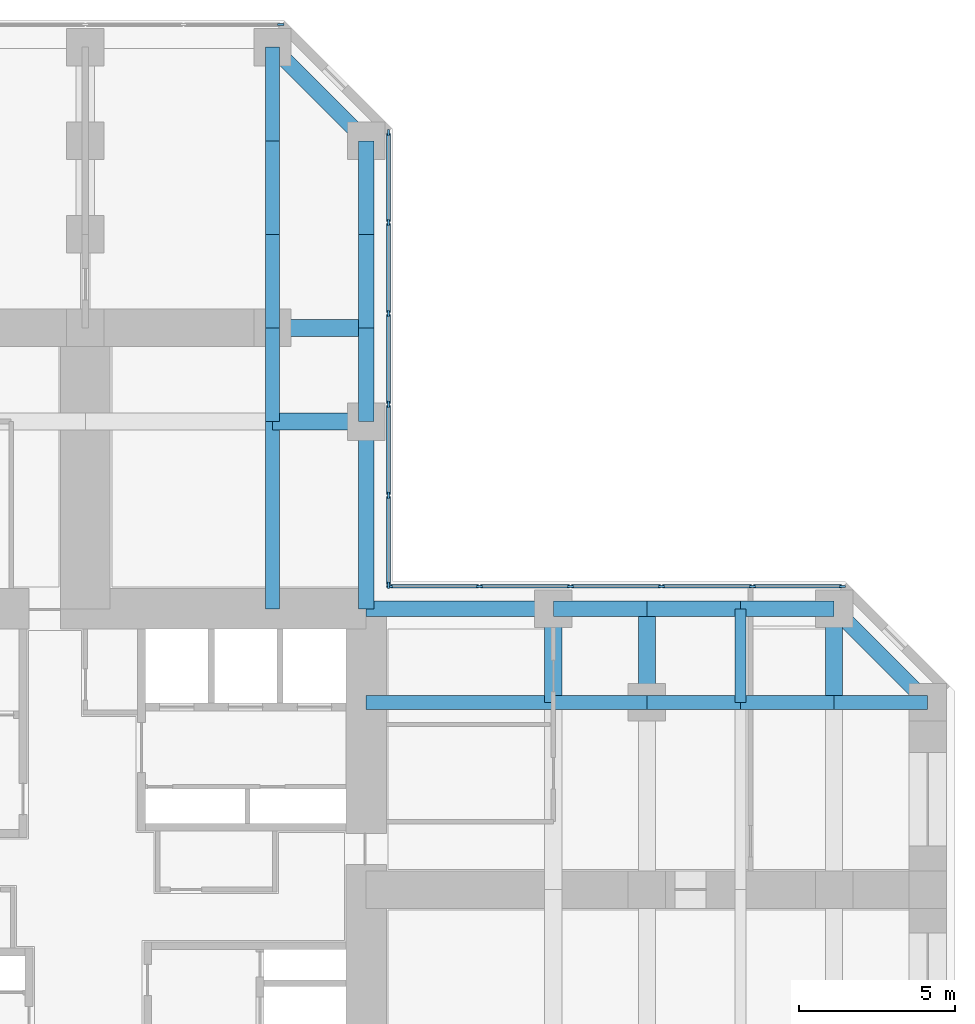
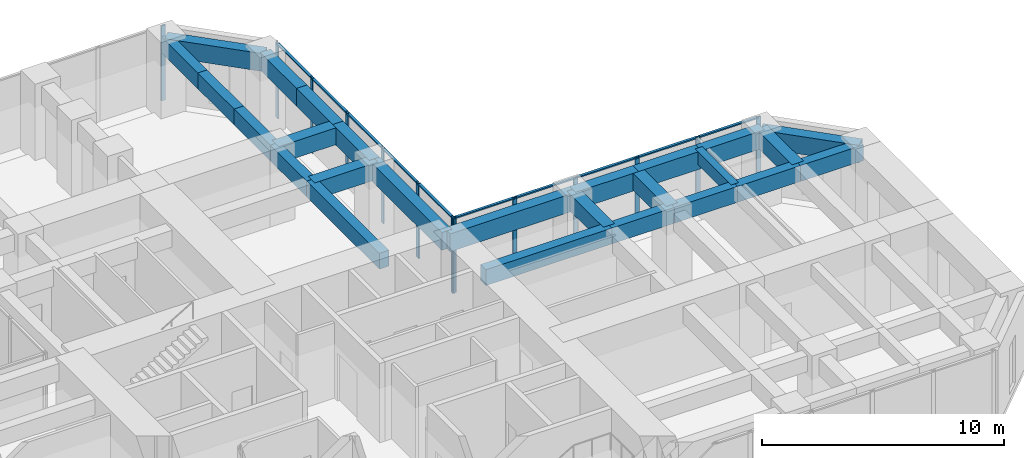
# One storey, part 6 of 12: 26 beams, 23 members, 3 elements without a shape of their own.
"""IFC4 building model written with IfcOpenShell, lengths in metres."""

from ifc_helpers import new_model, si_unit, direction, frame, origin, origin_2d, place, context, subcontext, project, spatial, rectangle, extrude, material, material_profile, profile_set, type_object, element, aggregate, save


model = new_model("IFC4")

# Units and contexts
model_context = context("Model", 3, precision=1e-05, world=origin(), true_north=direction((0.0, 1.0)))
body_context = subcontext(model_context, "Body", "Model", "MODEL_VIEW")
ifc_project = project(units=[si_unit("LENGTHUNIT", "METRE"), si_unit("AREAUNIT", "SQUARE_METRE"), si_unit("VOLUMEUNIT", "CUBIC_METRE"), si_unit("PLANEANGLEUNIT", "RADIAN"), si_unit("MASSUNIT", "GRAM", prefix="KILO")], contexts=[model_context])

# Site, building, storey
site_placement = place(None, origin())
site = spatial("IfcSite", under=ifc_project, at=site_placement, CompositionType="ELEMENT")
building_placement = place(site_placement, origin())
building = spatial("IfcBuilding", under=site, at=building_placement, Name="Torre Cruceta", CompositionType="ELEMENT")
storey_placement = place(building_placement, frame((0.0, 0.0, 59.5)))
storey = spatial("IfcBuildingStorey", under=building, at=storey_placement, Name="L14", CompositionType="ELEMENT", Elevation=59.5)

# Beams
ifc_material_1 = material(Name="Concrete G60 (fck 60 MPa)", Category="concrete")
ifc_material_profile_1 = material_profile(ifc_material_1, rectangle(XDim=0.449951171875, YDim=0.800048828125, at=origin_2d()), Name="RC 450X800")
ifc_profile_set_1 = profile_set([ifc_material_profile_1], Name="Concrete G60 (fck 60 MPa)")
beam_type_1 = type_object("IfcBeamType", Name="COLUMN LINE BEAM RC 450X800", PredefinedType="BEAM", material=ifc_profile_set_1)
beam_1_placement = place(storey_placement, frame((6.0, 9.0, 3.39990234375), z_axis=(0.0, 1.0, 0.0), x_axis=(-1.0, 0.0, 0.0)))
element("IfcBeam", 1, at=beam_1_placement, inside=storey, type_object=beam_type_1, Name="LB1 L14 N col- 1", PredefinedType="BEAM", context=body_context, shape_type="SweptSolid", body=[
    extrude(rectangle(XDim=0.449951171875, YDim=0.800048828125, at=origin_2d()), origin(), (0.0, 0.0, 1.0), 6.0),
])
for number, where, z_axis, x_axis, name in (
    (2, (6.0, 15.0, 3.39990234375), (0.0, 1.0, 0.0), (-1.0, 0.0, 0.0), "LB1 L14 N col- 2"),
    (3, (6.0, 18.0, 3.39990234375), (0.0, 1.0, 0.0), (-1.0, 0.0, 0.0), "LB1 L14 N col- 3"),
    (4, (6.0, 21.0, 3.39990234375), (0.0, 1.0, 0.0), (-1.0, 0.0, 0.0), "LB1 L14 N col- 4"),
    (5, (6.0, 24.0, 3.39990234375), (0.0, 1.0, 0.0), (-1.0, 0.0, 0.0), "LB1 L14 N col- 5"),
):
    element("IfcBeam", number, at=place(storey_placement, frame(where, z_axis=z_axis, x_axis=x_axis)), inside=storey, type_object=beam_type_1, Name=name, PredefinedType="BEAM", context=body_context, shape_type="SweptSolid", body=[
        extrude(rectangle(XDim=0.449951171875, YDim=0.800048828125, at=origin_2d()), origin(), (0.0, 0.0, 1.0), 3.0),
    ])
beam_2_placement = place(storey_placement, frame((9.0, 6.0, 3.39990234375), z_axis=(1.0, 0.0, 0.0), x_axis=(0.0, 1.0, 0.0)))
element("IfcBeam", 6, at=beam_2_placement, inside=storey, type_object=beam_type_1, Name="LB1 L14 E col+ 1", PredefinedType="BEAM", context=body_context, shape_type="SweptSolid", body=[
    extrude(rectangle(XDim=0.449951171875, YDim=0.800048828125, at=origin_2d()), origin(), (0.0, 0.0, 1.0), 6.0),
])
for number, where, z_axis, x_axis, name in (
    (7, (15.0, 6.0, 3.39990234375), (1.0, 0.0, 0.0), (0.0, 1.0, 0.0), "LB1 L14 E col+ 2"),
    (8, (18.0, 6.0, 3.39990234375), (1.0, 0.0, 0.0), (0.0, 1.0, 0.0), "LB1 L14 E col+ 3"),
    (9, (21.0, 6.0, 3.39990234375), (1.0, 0.0, 0.0), (0.0, 1.0, 0.0), "LB1 L14 E col+ 4"),
    (10, (24.0, 6.0, 3.39990234375), (1.0, 0.0, 0.0), (0.0, 1.0, 0.0), "LB1 L14 E col+ 5"),
):
    element("IfcBeam", number, at=place(storey_placement, frame(where, z_axis=z_axis, x_axis=x_axis)), inside=storey, type_object=beam_type_1, Name=name, PredefinedType="BEAM", context=body_context, shape_type="SweptSolid", body=[
        extrude(rectangle(XDim=0.449951171875, YDim=0.800048828125, at=origin_2d()), origin(), (0.0, 0.0, 1.0), 3.0),
    ])
ifc_material_2 = material(Name="Concrete G60 (fck 60 MPa)", Category="concrete")
ifc_material_profile_2 = material_profile(ifc_material_2, rectangle(XDim=0.550048828125, YDim=0.85009765625, at=origin_2d()), Name="RC 550X850")
ifc_profile_set_2 = profile_set([ifc_material_profile_2], Name="Concrete G60 (fck 60 MPa)")
beam_type_2 = type_object("IfcBeamType", Name="CROSS BEAM RC 550X850", PredefinedType="BEAM", material=ifc_profile_set_2)
for number, where, z_axis, x_axis, name in (
    (11, (9.0, 15.0, 3.375), (-1.0, 0.0, 0.0), (0.0, -1.0, 0.0), "GB4 L14 N cross15 1"),
    (12, (9.0, 18.0, 3.375), (-1.0, 0.0, 0.0), (0.0, -1.0, 0.0), "GB4 L14 N cross18 1"),
    (13, (15.0, 6.0, 3.375), (0.0, 1.0, 0.0), (-1.0, 0.0, 0.0), "GB4 L14 E cross15 4"),
    (14, (18.0, 6.0, 3.375), (0.0, 1.0, 0.0), (-1.0, 0.0, 0.0), "GB4 L14 E cross18 4"),
    (15, (24.0, 6.0, 3.375), (0.0, 1.0, 0.0), (-1.0, 0.0, 0.0), "GB4 L14 E cross24 4"),
):
    element("IfcBeam", number, at=place(storey_placement, frame(where, z_axis=z_axis, x_axis=x_axis)), inside=storey, type_object=beam_type_2, Name=name, PredefinedType="BEAM", context=body_context, shape_type="SweptSolid", body=[
        extrude(rectangle(XDim=0.550048828125, YDim=0.85009765625, at=origin_2d()), origin(), (0.0, 0.0, 1.0), 3.0),
    ])

# Curtain wall, members
ifc_material_3 = material(Name="Aluminium unitised curtain wall", Category="aluminium")
curtain_wall_type = type_object("IfcCurtainWallType", Name="CURTAIN WALL CW-A OFFICE LOW RISE", PredefinedType="USERDEFINED", material=ifc_material_3)
curtain_wall_1_placement = place(storey_placement, origin())
curtain_wall_1 = element("IfcCurtainWall", 16, at=curtain_wall_1_placement, inside=storey, type_object=curtain_wall_type, Name="CW-A L14 E side 04", ObjectType="UNITISED", PredefinedType="USERDEFINED")
ifc_material_4 = material(Name="Aluminium mullion", Category="aluminium")
ifc_material_profile_3 = material_profile(ifc_material_4, rectangle(XDim=0.06494140625, YDim=0.199951171875, at=origin_2d()), Name="AL 65X200")
ifc_profile_set_3 = profile_set([ifc_material_profile_3], Name="Aluminium mullion")
member_type_1 = type_object("IfcMemberType", Name="CW-A MULLION 65X200", PredefinedType="MULLION", material=ifc_profile_set_3)
member_1_placement = place(storey_placement, frame((24.265625, 9.719970703125, 0.0), z_axis=(0.0, 0.0, 1.0), x_axis=(0.0, -1.0, 0.0)))
member_1 = element("IfcMember", 17, at=member_1_placement, type_object=member_type_1, Name="CW-A mullion 1", PredefinedType="MULLION", context=body_context, shape_type="SweptSolid", body=[
    extrude(rectangle(XDim=0.06494140625, YDim=0.199951171875, at=origin_2d()), origin(), (0.0, 0.0, 1.0), 3.800048828125),
])
member_2_placement = place(storey_placement, frame((21.382568359375, 9.719970703125, 0.0), z_axis=(0.0, 0.0, 1.0), x_axis=(0.0, -1.0, 0.0)))
member_2 = element("IfcMember", 18, at=member_2_placement, type_object=member_type_1, Name="CW-A mullion 2", PredefinedType="MULLION", context=body_context, shape_type="SweptSolid", body=[
    extrude(rectangle(XDim=0.06494140625, YDim=0.199951171875, at=origin_2d()), origin(), (0.0, 0.0, 1.0), 3.800048828125),
])
member_3_placement = place(storey_placement, frame((18.467041015625, 9.719970703125, 0.0), z_axis=(0.0, 0.0, 1.0), x_axis=(0.0, -1.0, 0.0)))
member_3 = element("IfcMember", 19, at=member_3_placement, type_object=member_type_1, Name="CW-A mullion 3", PredefinedType="MULLION", context=body_context, shape_type="SweptSolid", body=[
    extrude(rectangle(XDim=0.06494140625, YDim=0.199951171875, at=origin_2d()), origin(), (0.0, 0.0, 1.0), 3.800048828125),
])
member_4_placement = place(storey_placement, frame((15.55126953125, 9.719970703125, 0.0), z_axis=(0.0, 0.0, 1.0), x_axis=(0.0, -1.0, 0.0)))
member_4 = element("IfcMember", 20, at=member_4_placement, type_object=member_type_1, Name="CW-A mullion 4", PredefinedType="MULLION", context=body_context, shape_type="SweptSolid", body=[
    extrude(rectangle(XDim=0.06494140625, YDim=0.199951171875, at=origin_2d()), origin(), (0.0, 0.0, 1.0), 3.800048828125),
])
member_5_placement = place(storey_placement, frame((12.6357421875, 9.719970703125, 0.0), z_axis=(0.0, 0.0, 1.0), x_axis=(0.0, -1.0, 0.0)))
member_5 = element("IfcMember", 21, at=member_5_placement, type_object=member_type_1, Name="CW-A mullion 5", PredefinedType="MULLION", context=body_context, shape_type="SweptSolid", body=[
    extrude(rectangle(XDim=0.06494140625, YDim=0.199951171875, at=origin_2d()), origin(), (0.0, 0.0, 1.0), 3.800048828125),
])
member_6_placement = place(storey_placement, frame((9.75244140625, 9.719970703125, 0.0), z_axis=(0.0, 0.0, 1.0), x_axis=(0.0, -1.0, 0.0)))
member_6 = element("IfcMember", 22, at=member_6_placement, type_object=member_type_1, Name="CW-A mullion 6", PredefinedType="MULLION", context=body_context, shape_type="SweptSolid", body=[
    extrude(rectangle(XDim=0.06494140625, YDim=0.199951171875, at=origin_2d()), origin(), (0.0, 0.0, 1.0), 3.800048828125),
])

curtain_wall_2_placement = place(storey_placement, origin())
curtain_wall_2 = element("IfcCurtainWall", 23, at=curtain_wall_2_placement, inside=storey, type_object=curtain_wall_type, Name="CW-A L14 N side 05", ObjectType="UNITISED", PredefinedType="USERDEFINED")
member_7_placement = place(storey_placement, frame((9.719970703125, 9.75244140625, 0.0), z_axis=(0.0, 0.0, 1.0), x_axis=(-1.0, 0.0, 0.0)))
member_7 = element("IfcMember", 24, at=member_7_placement, type_object=member_type_1, Name="CW-A mullion 1", PredefinedType="MULLION", context=body_context, shape_type="SweptSolid", body=[
    extrude(rectangle(XDim=0.06494140625, YDim=0.199951171875, at=origin_2d()), origin(), (0.0, 0.0, 1.0), 3.800048828125),
])
member_8_placement = place(storey_placement, frame((9.719970703125, 12.6357421875, 0.0), z_axis=(0.0, 0.0, 1.0), x_axis=(-1.0, 0.0, 0.0)))
member_8 = element("IfcMember", 25, at=member_8_placement, type_object=member_type_1, Name="CW-A mullion 2", PredefinedType="MULLION", context=body_context, shape_type="SweptSolid", body=[
    extrude(rectangle(XDim=0.06494140625, YDim=0.199951171875, at=origin_2d()), origin(), (0.0, 0.0, 1.0), 3.800048828125),
])
member_9_placement = place(storey_placement, frame((9.719970703125, 15.55126953125, 0.0), z_axis=(0.0, 0.0, 1.0), x_axis=(-1.0, 0.0, 0.0)))
member_9 = element("IfcMember", 26, at=member_9_placement, type_object=member_type_1, Name="CW-A mullion 3", PredefinedType="MULLION", context=body_context, shape_type="SweptSolid", body=[
    extrude(rectangle(XDim=0.06494140625, YDim=0.199951171875, at=origin_2d()), origin(), (0.0, 0.0, 1.0), 3.800048828125),
])
member_10_placement = place(storey_placement, frame((9.719970703125, 18.467041015625, 0.0), z_axis=(0.0, 0.0, 1.0), x_axis=(-1.0, 0.0, 0.0)))
member_10 = element("IfcMember", 27, at=member_10_placement, type_object=member_type_1, Name="CW-A mullion 4", PredefinedType="MULLION", context=body_context, shape_type="SweptSolid", body=[
    extrude(rectangle(XDim=0.06494140625, YDim=0.199951171875, at=origin_2d()), origin(), (0.0, 0.0, 1.0), 3.800048828125),
])
member_11_placement = place(storey_placement, frame((9.719970703125, 21.382568359375, 0.0), z_axis=(0.0, 0.0, 1.0), x_axis=(-1.0, 0.0, 0.0)))
member_11 = element("IfcMember", 28, at=member_11_placement, type_object=member_type_1, Name="CW-A mullion 5", PredefinedType="MULLION", context=body_context, shape_type="SweptSolid", body=[
    extrude(rectangle(XDim=0.06494140625, YDim=0.199951171875, at=origin_2d()), origin(), (0.0, 0.0, 1.0), 3.800048828125),
])
member_12_placement = place(storey_placement, frame((9.719970703125, 24.265625, 0.0), z_axis=(0.0, 0.0, 1.0), x_axis=(-1.0, 0.0, 0.0)))
member_12 = element("IfcMember", 29, at=member_12_placement, type_object=member_type_1, Name="CW-A mullion 6", PredefinedType="MULLION", context=body_context, shape_type="SweptSolid", body=[
    extrude(rectangle(XDim=0.06494140625, YDim=0.199951171875, at=origin_2d()), origin(), (0.0, 0.0, 1.0), 3.800048828125),
])

# Curtain wall, member
curtain_wall_3_placement = place(storey_placement, origin())
curtain_wall_3 = element("IfcCurtainWall", 30, at=curtain_wall_3_placement, inside=storey, type_object=curtain_wall_type, Name="CW-A L14 N tip 07", ObjectType="UNITISED", PredefinedType="USERDEFINED")
member_13_placement = place(storey_placement, frame((6.265625, 27.719970703125, 0.0), z_axis=(0.0, 0.0, 1.0), x_axis=(0.0, -1.0, 0.0)))
member_13 = element("IfcMember", 31, at=member_13_placement, type_object=member_type_1, Name="CW-A mullion 1", PredefinedType="MULLION", context=body_context, shape_type="SweptSolid", body=[
    extrude(rectangle(XDim=0.06494140625, YDim=0.199951171875, at=origin_2d()), origin(), (0.0, 0.0, 1.0), 3.800048828125),
])
aggregate(curtain_wall_3, [member_13])

# Member
ifc_material_5 = material(Name="Aluminium transom", Category="aluminium")
ifc_material_profile_4 = material_profile(ifc_material_5, rectangle(XDim=0.1201171875, YDim=0.06494140625, at=origin_2d()), Name="AL 120X65")
ifc_profile_set_4 = profile_set([ifc_material_profile_4], Name="Aluminium transom")
member_type_2 = type_object("IfcMemberType", Name="CW-A TRANSOM 65X120", PredefinedType="USERDEFINED", material=ifc_profile_set_4)
member_14_placement = place(storey_placement, frame((24.233154296875, 9.719970703125, 3.767578125), z_axis=(-1.0, 0.0, 0.0), x_axis=(0.0, -1.0, 0.0)))
member_14 = element("IfcMember", 32, at=member_14_placement, type_object=member_type_2, Name="CW-A transom 1", ObjectType="TRANSOM", PredefinedType="USERDEFINED", context=body_context, shape_type="SweptSolid", body=[
    extrude(rectangle(XDim=0.1201171875, YDim=0.06494140625, at=origin_2d()), origin(), (0.0, 0.0, 1.0), 2.818115234375),
])

member_15_placement = place(storey_placement, frame((21.35009765625, 9.719970703125, 3.767578125), z_axis=(-1.0, 0.0, 0.0), x_axis=(0.0, -1.0, 0.0)))
member_15 = element("IfcMember", 33, at=member_15_placement, type_object=member_type_2, Name="CW-A transom 2", ObjectType="TRANSOM", PredefinedType="USERDEFINED", context=body_context, shape_type="SweptSolid", body=[
    extrude(rectangle(XDim=0.1201171875, YDim=0.06494140625, at=origin_2d()), origin(), (0.0, 0.0, 1.0), 2.8505859375),
])

member_16_placement = place(storey_placement, frame((18.434326171875, 9.719970703125, 3.767578125), z_axis=(-1.0, 0.0, 0.0), x_axis=(0.0, -1.0, 0.0)))
member_16 = element("IfcMember", 34, at=member_16_placement, type_object=member_type_2, Name="CW-A transom 3", ObjectType="TRANSOM", PredefinedType="USERDEFINED", context=body_context, shape_type="SweptSolid", body=[
    extrude(rectangle(XDim=0.1201171875, YDim=0.06494140625, at=origin_2d()), origin(), (0.0, 0.0, 1.0), 2.8505859375),
])

member_17_placement = place(storey_placement, frame((15.518798828125, 9.719970703125, 3.767578125), z_axis=(-1.0, 0.0, 0.0), x_axis=(0.0, -1.0, 0.0)))
member_17 = element("IfcMember", 35, at=member_17_placement, type_object=member_type_2, Name="CW-A transom 4", ObjectType="TRANSOM", PredefinedType="USERDEFINED", context=body_context, shape_type="SweptSolid", body=[
    extrude(rectangle(XDim=0.1201171875, YDim=0.06494140625, at=origin_2d()), origin(), (0.0, 0.0, 1.0), 2.8505859375),
])

member_18_placement = place(storey_placement, frame((12.60302734375, 9.719970703125, 3.767578125), z_axis=(-1.0, 0.0, 0.0), x_axis=(0.0, -1.0, 0.0)))
member_18 = element("IfcMember", 36, at=member_18_placement, type_object=member_type_2, Name="CW-A transom 5", ObjectType="TRANSOM", PredefinedType="USERDEFINED", context=body_context, shape_type="SweptSolid", body=[
    extrude(rectangle(XDim=0.1201171875, YDim=0.06494140625, at=origin_2d()), origin(), (0.0, 0.0, 1.0), 2.818115234375),
])

aggregate(curtain_wall_1, [member_1, member_2, member_3, member_4, member_5, member_6, member_14, member_15, member_16, member_17, member_18])

member_19_placement = place(storey_placement, frame((9.719970703125, 9.784912109375, 3.767578125), z_axis=(0.0, 1.0, 0.0), x_axis=(-1.0, 0.0, 0.0)))
member_19 = element("IfcMember", 37, at=member_19_placement, type_object=member_type_2, Name="CW-A transom 1", ObjectType="TRANSOM", PredefinedType="USERDEFINED", context=body_context, shape_type="SweptSolid", body=[
    extrude(rectangle(XDim=0.1201171875, YDim=0.06494140625, at=origin_2d()), origin(), (0.0, 0.0, 1.0), 2.818115234375),
])

member_20_placement = place(storey_placement, frame((9.719970703125, 12.668212890625, 3.767578125), z_axis=(0.0, 1.0, 0.0), x_axis=(-1.0, 0.0, 0.0)))
member_20 = element("IfcMember", 38, at=member_20_placement, type_object=member_type_2, Name="CW-A transom 2", ObjectType="TRANSOM", PredefinedType="USERDEFINED", context=body_context, shape_type="SweptSolid", body=[
    extrude(rectangle(XDim=0.1201171875, YDim=0.06494140625, at=origin_2d()), origin(), (0.0, 0.0, 1.0), 2.8505859375),
])

member_21_placement = place(storey_placement, frame((9.719970703125, 15.583740234375, 3.767578125), z_axis=(0.0, 1.0, 0.0), x_axis=(-1.0, 0.0, 0.0)))
member_21 = element("IfcMember", 39, at=member_21_placement, type_object=member_type_2, Name="CW-A transom 3", ObjectType="TRANSOM", PredefinedType="USERDEFINED", context=body_context, shape_type="SweptSolid", body=[
    extrude(rectangle(XDim=0.1201171875, YDim=0.06494140625, at=origin_2d()), origin(), (0.0, 0.0, 1.0), 2.8505859375),
])

member_22_placement = place(storey_placement, frame((9.719970703125, 18.49951171875, 3.767578125), z_axis=(0.0, 1.0, 0.0), x_axis=(-1.0, 0.0, 0.0)))
member_22 = element("IfcMember", 40, at=member_22_placement, type_object=member_type_2, Name="CW-A transom 4", ObjectType="TRANSOM", PredefinedType="USERDEFINED", context=body_context, shape_type="SweptSolid", body=[
    extrude(rectangle(XDim=0.1201171875, YDim=0.06494140625, at=origin_2d()), origin(), (0.0, 0.0, 1.0), 2.8505859375),
])

member_23_placement = place(storey_placement, frame((9.719970703125, 21.4150390625, 3.767578125), z_axis=(0.0, 1.0, 0.0), x_axis=(-1.0, 0.0, 0.0)))
member_23 = element("IfcMember", 41, at=member_23_placement, type_object=member_type_2, Name="CW-A transom 5", ObjectType="TRANSOM", PredefinedType="USERDEFINED", context=body_context, shape_type="SweptSolid", body=[
    extrude(rectangle(XDim=0.1201171875, YDim=0.06494140625, at=origin_2d()), origin(), (0.0, 0.0, 1.0), 2.818115234375),
])

aggregate(curtain_wall_2, [member_7, member_8, member_9, member_10, member_11, member_12, member_19, member_20, member_21, member_22, member_23])

# Beams
ifc_material_6 = material(Name="Concrete G60 (fck 60 MPa)", Category="concrete")
ifc_material_profile_5 = material_profile(ifc_material_6, rectangle(XDim=0.35009765625, YDim=0.64990234375, at=origin_2d()), Name="RC 350X650")
ifc_profile_set_5 = profile_set([ifc_material_profile_5], Name="Concrete G60 (fck 60 MPa)")
beam_type_3 = type_object("IfcBeamType", Name="SECONDARY BEAM RC 350X650", PredefinedType="JOIST", material=ifc_profile_set_5)
beam_3_placement = place(storey_placement, frame((21.0, 6.0, 3.47509765625), z_axis=(0.0, 1.0, 0.0), x_axis=(-1.0, 0.0, 0.0)))
element("IfcBeam", 42, at=beam_3_placement, inside=storey, type_object=beam_type_3, Name="JB3 L14 E sec21 4", PredefinedType="JOIST", context=body_context, shape_type="SweptSolid", body=[
    extrude(rectangle(XDim=0.35009765625, YDim=0.64990234375, at=origin_2d()), origin(), (0.0, 0.0, 1.0), 3.0),
])
ifc_material_7 = material(Name="Concrete G60 (fck 60 MPa)", Category="concrete")
ifc_material_profile_6 = material_profile(ifc_material_7, rectangle(XDim=0.5, YDim=0.89990234375, at=origin_2d()), Name="RC 500X900")
ifc_profile_set_6 = profile_set([ifc_material_profile_6], Name="Concrete G60 (fck 60 MPa)")
beam_type_4 = type_object("IfcBeamType", Name="SPANDREL BEAM RC 500X900", PredefinedType="SPANDREL", material=ifc_profile_set_6)
beam_4_placement = place(storey_placement, frame((9.0, 9.0, 3.35009765625), z_axis=(0.0, 1.0, 0.0), x_axis=(-1.0, 0.0, 0.0)))
element("IfcBeam", 43, at=beam_4_placement, inside=storey, type_object=beam_type_4, Name="SB4 L14 N side- 1", PredefinedType="SPANDREL", context=body_context, shape_type="SweptSolid", body=[
    extrude(rectangle(XDim=0.5, YDim=0.89990234375, at=origin_2d()), origin(), (0.0, 0.0, 1.0), 6.0),
])
for number, where, z_axis, x_axis, name in (
    (44, (9.0, 15.0, 3.35009765625), (0.0, 1.0, 0.0), (-1.0, 0.0, 0.0), "SB4 L14 N side- 2"),
    (45, (9.0, 18.0, 3.35009765625), (0.0, 1.0, 0.0), (-1.0, 0.0, 0.0), "SB4 L14 N side- 3"),
    (46, (9.0, 21.0, 3.35009765625), (0.0, 1.0, 0.0), (-1.0, 0.0, 0.0), "SB4 L14 N side- 4"),
):
    element("IfcBeam", number, at=place(storey_placement, frame(where, z_axis=z_axis, x_axis=x_axis)), inside=storey, type_object=beam_type_4, Name=name, PredefinedType="SPANDREL", context=body_context, shape_type="SweptSolid", body=[
        extrude(rectangle(XDim=0.5, YDim=0.89990234375, at=origin_2d()), origin(), (0.0, 0.0, 1.0), 3.0),
    ])
beam_5_placement = place(storey_placement, frame((9.0, 24.0, 3.35009765625), z_axis=(-0.707106781187, 0.707106781187, 0.0), x_axis=(-0.707106781187, -0.707106781187, 0.0)))
element("IfcBeam", 47, at=beam_5_placement, inside=storey, type_object=beam_type_4, Name="SB4 L14 N side- 5", PredefinedType="SPANDREL", context=body_context, shape_type="SweptSolid", body=[
    extrude(rectangle(XDim=0.5, YDim=0.89990234375, at=origin_2d()), origin(), (0.0, 0.0, 1.0), 4.24267578125),
])
beam_6_placement = place(storey_placement, frame((9.0, 9.0, 3.35009765625), z_axis=(1.0, 0.0, 0.0), x_axis=(0.0, 1.0, 0.0)))
element("IfcBeam", 48, at=beam_6_placement, inside=storey, type_object=beam_type_4, Name="SB4 L14 E side+ 1", PredefinedType="SPANDREL", context=body_context, shape_type="SweptSolid", body=[
    extrude(rectangle(XDim=0.5, YDim=0.89990234375, at=origin_2d()), origin(), (0.0, 0.0, 1.0), 6.0),
])
for number, where, z_axis, x_axis, name in (
    (49, (15.0, 9.0, 3.35009765625), (1.0, 0.0, 0.0), (0.0, 1.0, 0.0), "SB4 L14 E side+ 2"),
    (50, (18.0, 9.0, 3.35009765625), (1.0, 0.0, 0.0), (0.0, 1.0, 0.0), "SB4 L14 E side+ 3"),
    (51, (21.0, 9.0, 3.35009765625), (1.0, 0.0, 0.0), (0.0, 1.0, 0.0), "SB4 L14 E side+ 4"),
):
    element("IfcBeam", number, at=place(storey_placement, frame(where, z_axis=z_axis, x_axis=x_axis)), inside=storey, type_object=beam_type_4, Name=name, PredefinedType="SPANDREL", context=body_context, shape_type="SweptSolid", body=[
        extrude(rectangle(XDim=0.5, YDim=0.89990234375, at=origin_2d()), origin(), (0.0, 0.0, 1.0), 3.0),
    ])
beam_7_placement = place(storey_placement, frame((24.0, 9.0, 3.35009765625), z_axis=(0.707106781187, -0.707106781187, 0.0), x_axis=(0.707106781187, 0.707106781187, 0.0)))
element("IfcBeam", 52, at=beam_7_placement, inside=storey, type_object=beam_type_4, Name="SB4 L14 E side+ 5", PredefinedType="SPANDREL", context=body_context, shape_type="SweptSolid", body=[
    extrude(rectangle(XDim=0.5, YDim=0.89990234375, at=origin_2d()), origin(), (0.0, 0.0, 1.0), 4.24267578125),
])

save(model, "model.ifc")
